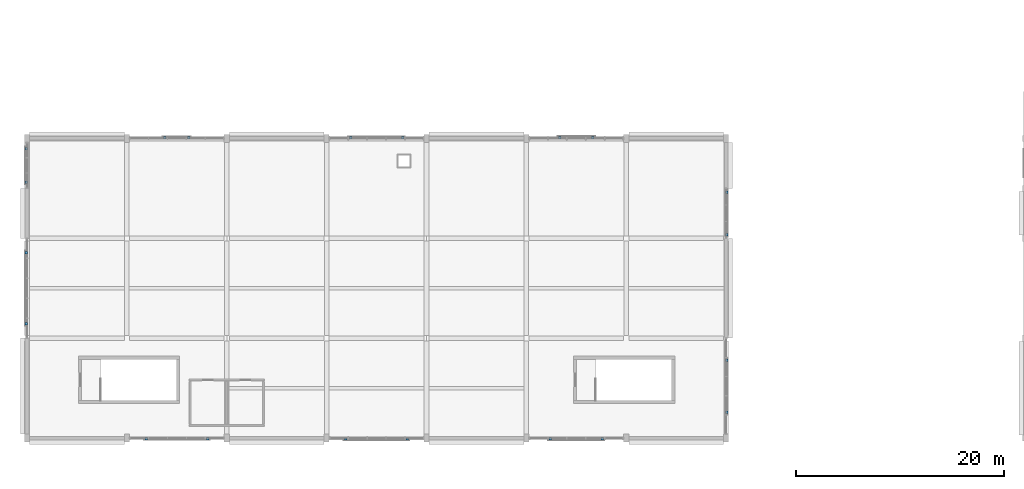
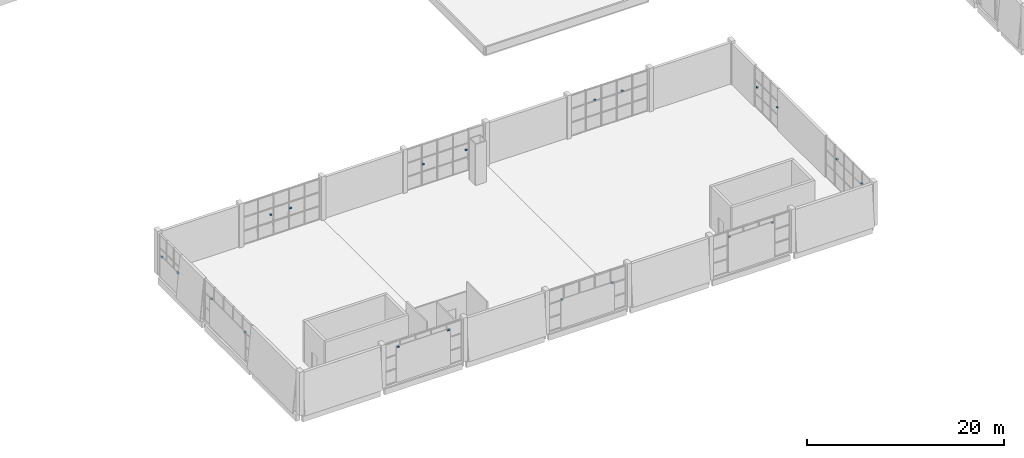
# One storey, part 53 of 72: 20 discrete accessories.
"""IFC4 building model written with IfcOpenShell, lengths in metres."""

from ifc_helpers import new_model, si_unit, direction, frame, origin, origin_2d, place, context, subcontext, project, spatial, rectangle, extrude, material, type_object, element, save


model = new_model("IFC4")

# Units and contexts
model_context = context("Model", 3, precision=1e-05, world=origin(), true_north=direction((0.0, 1.0)))
body_context = subcontext(model_context, "Body", "Model", "MODEL_VIEW")
ifc_project = project(units=[si_unit("LENGTHUNIT", "METRE"), si_unit("AREAUNIT", "SQUARE_METRE"), si_unit("VOLUMEUNIT", "CUBIC_METRE"), si_unit("PLANEANGLEUNIT", "RADIAN"), si_unit("MASSUNIT", "GRAM", prefix="KILO")], contexts=[model_context])

# Site, building, storey
site_placement = place(None, origin())
site = spatial("IfcSite", under=ifc_project, at=site_placement, CompositionType="ELEMENT")
building_placement = place(site_placement, origin())
building = spatial("IfcBuilding", under=site, at=building_placement, Name="Shalvenor Court Art Gallery", CompositionType="ELEMENT")
storey_placement = place(building_placement, frame((0.0, 0.0, 11.39990234375)))
storey = spatial("IfcBuildingStorey", under=building, at=storey_placement, Name="L02", CompositionType="ELEMENT", Elevation=11.39990234375)

# Discrete accessories
ifc_material = material(Name="Stainless steel anchor bracket", Category="steel")
discrete_accessory_type = type_object("IfcDiscreteAccessoryType", Name="BRK-01", PredefinedType="BRACKET", material=ifc_material)
for number, where, z_axis, x_axis, name in (
    (1, (13.25, 28.865234375, 2.47021484375), (0.0, 0.0, 1.0), (1.0, 0.0, 0.0), "L02 Lattice Anchor Bracket 249"),
    (2, (15.550048828125, 28.865234375, 2.47021484375), (0.0, 0.0, 1.0), (1.0, 0.0, 0.0), "L02 Lattice Anchor Bracket 250"),
    (3, (31.10009765625, 28.870361328125, 2.47021484375), (0.0, 0.0, 1.0), (1.0, 0.0, 0.0), "L02 Lattice Anchor Bracket 251"),
    (4, (36.10009765625, 28.870361328125, 2.47021484375), (0.0, 0.0, 1.0), (1.0, 0.0, 0.0), "L02 Lattice Anchor Bracket 252"),
    (5, (51.199951171875, 28.87646484375, 3.3701171875), (0.0, 0.0, 1.0), (1.0, 0.0, 0.0), "L02 Lattice Anchor Bracket 253"),
    (6, (54.39990234375, 28.87646484375, 3.3701171875), (0.0, 0.0, 1.0), (1.0, 0.0, 0.0), "L02 Lattice Anchor Bracket 254"),
    (7, (67.256591796875, 23.64990234375, 2.47021484375), (0.0, 0.0, 1.0), (0.0, -1.0, 0.0), "L02 Lattice Anchor Bracket 255"),
    (8, (67.256591796875, 19.550048828125, 2.47021484375), (0.0, 0.0, 1.0), (0.0, -1.0, 0.0), "L02 Lattice Anchor Bracket 256"),
    (9, (67.2666015625, 7.487548828125, 3.3701171875), (0.0, 0.0, 1.0), (0.0, -1.0, 0.0), "L02 Lattice Anchor Bracket 257"),
    (10, (67.2666015625, 2.487548828125, 3.3701171875), (0.0, 0.0, 1.0), (0.0, -1.0, 0.0), "L02 Lattice Anchor Bracket 258"),
    (11, (55.300048828125, -0.071533203125, 4.27001953125), (0.0, 0.0, 1.0), (-1.0, 0.0, 0.0), "L02 Lattice Anchor Bracket 259"),
    (12, (50.300048828125, -0.071533203125, 4.27001953125), (0.0, 0.0, 1.0), (-1.0, 0.0, 0.0), "L02 Lattice Anchor Bracket 260"),
    (13, (36.550048828125, -0.076416015625, 3.3701171875), (0.0, 0.0, 1.0), (-1.0, 0.0, 0.0), "L02 Lattice Anchor Bracket 261"),
    (14, (30.64990234375, -0.076416015625, 3.3701171875), (0.0, 0.0, 1.0), (-1.0, 0.0, 0.0), "L02 Lattice Anchor Bracket 262"),
    (15, (17.35009765625, -0.056396484375, 4.27001953125), (0.0, 0.0, 1.0), (-1.0, 0.0, 0.0), "L02 Lattice Anchor Bracket 263"),
    (16, (11.449951171875, -0.056396484375, 4.27001953125), (0.0, 0.0, 1.0), (-1.0, 0.0, 0.0), "L02 Lattice Anchor Bracket 264"),
    (17, (-0.06640625, 11.0, 3.3701171875), (0.0, 0.0, 1.0), (0.0, 1.0, 0.0), "L02 Lattice Anchor Bracket 265"),
    (18, (-0.06640625, 17.800048828125, 3.3701171875), (0.0, 0.0, 1.0), (0.0, 1.0, 0.0), "L02 Lattice Anchor Bracket 266"),
    (19, (-0.071533203125, 24.612548828125, 2.47021484375), (0.0, 0.0, 1.0), (0.0, 1.0, 0.0), "L02 Lattice Anchor Bracket 267"),
    (20, (-0.071533203125, 27.8125, 2.47021484375), (0.0, 0.0, 1.0), (0.0, 1.0, 0.0), "L02 Lattice Anchor Bracket 268"),
):
    element("IfcDiscreteAccessory", number, at=place(storey_placement, frame(where, z_axis=z_axis, x_axis=x_axis)), inside=storey, type_object=discrete_accessory_type, Name=name, PredefinedType="BRACKET", context=body_context, shape_type="SweptSolid", body=[
        extrude(rectangle(XDim=0.239990234375, YDim=0.219970703125, at=origin_2d()), origin(), (0.0, 0.0, 1.0), 0.159912109375),
    ])

save(model, "model.ifc")
